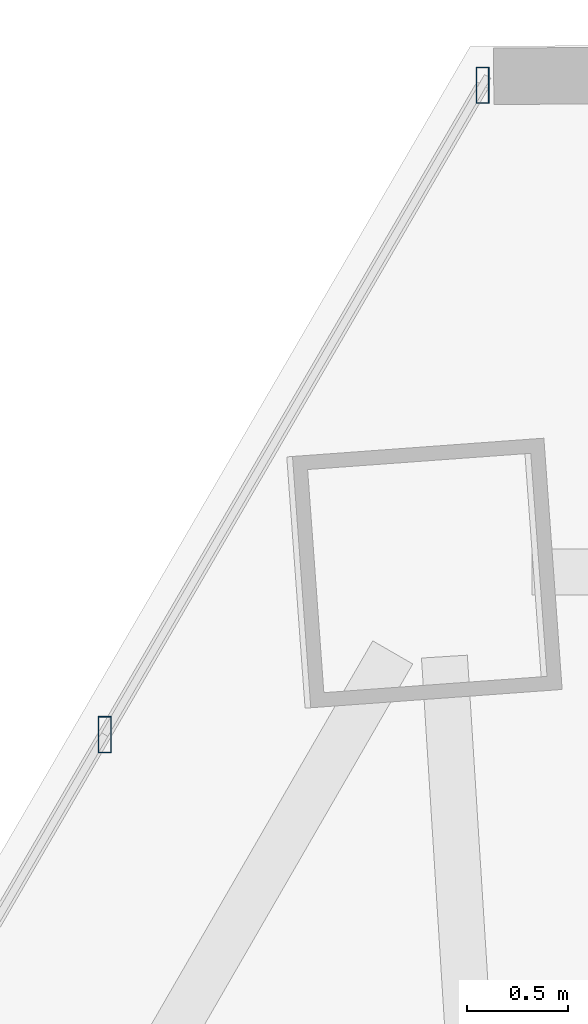
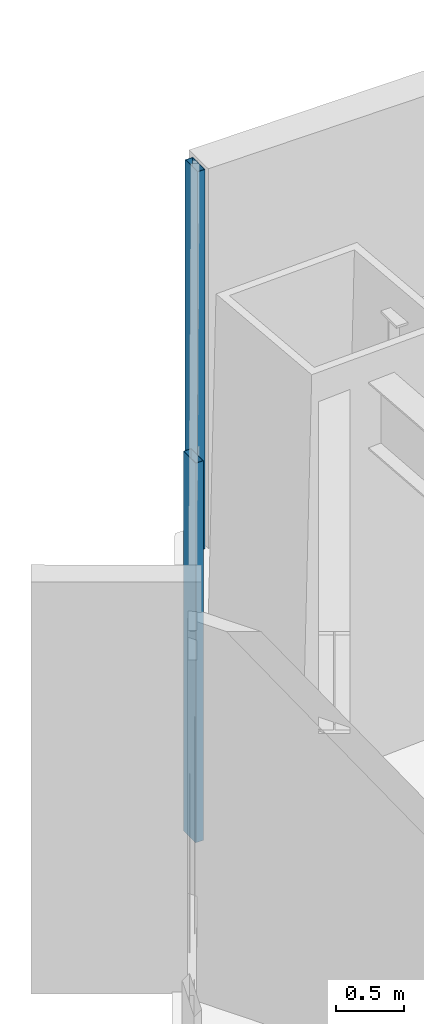
# One storey, part 25 of 34: 2 members, 1 element without a shape of its own.
"""IFC4 building model written with IfcOpenShell, lengths in metres."""

import ifcopenshell
import ifcopenshell.guid

model = None  # the IFC model being written
_history = None  # IfcOwnerHistory: only IFC2X3 demands one
_inside = {}  # id of a spatial element -> (the spatial element, [elements in it])
_under = {}  # id of a project, library or spatial element -> (it, [spatial elements below it])
_declared = {}  # id of a project -> (the project, [libraries it declares])
_typed = {}  # id of a type object -> (the type object, [elements of that type])
_made_of = {}  # id of a material, layer set ... -> (it, [elements and type objects made of it])


def new_model(schema):
    """Start an empty IFC model of exactly this schema.

    Asked for "IFC4X3", IfcOpenShell would pick the latest addendum, in which some entities
    have other attributes; the version numbers below select the first issue.
    IFC2X3 requires an IfcOwnerHistory on every rooted entity: one is made here for all.
    """
    global model, _history
    if schema == "IFC4X3":
        model = ifcopenshell.file(schema_version=(4, 3, 0, 0))
    else:
        model = ifcopenshell.file(schema=schema)
    _inside.clear()
    _under.clear()
    _declared.clear()
    _typed.clear()
    _made_of.clear()
    _history = None
    if model.schema == "IFC2X3":
        org = make("IfcOrganization", Name="unknown")
        user = make(
            "IfcPersonAndOrganization",
            ThePerson=make("IfcPerson", FamilyName="unknown"),
            TheOrganization=org,
        )
        app = make(
            "IfcApplication",
            ApplicationDeveloper=org,
            Version="unknown",
            ApplicationFullName="unknown",
            ApplicationIdentifier="unknown",
        )
        _history = make(
            "IfcOwnerHistory",
            OwningUser=user,
            OwningApplication=app,
            ChangeAction="ADDED",
            CreationDate=0,
        )
    return model


def make(cls, **values):
    """One entity of the class cls with the attributes given. An attribute that is None is left unset."""
    return model.create_entity(
        cls, **{name: value for name, value in values.items() if value is not None}
    )


def rooted(cls, **values):
    """An entity with a GlobalId (a new one), such as an element, a storey or a relation."""
    return make(cls, GlobalId=ifcopenshell.guid.new(), OwnerHistory=_history, **values)


def si_unit(unit_type, name, prefix=None):
    """IfcSIUnit, for example si_unit("LENGTHUNIT", "METRE", prefix="MILLI")."""
    return make("IfcSIUnit", UnitType=unit_type, Prefix=prefix, Name=name)


def assignment(units):
    """IfcUnitAssignment: the units of a project."""
    return None if units is None else make("IfcUnitAssignment", Units=units)


def point(xyz):
    """IfcCartesianPoint."""
    return None if xyz is None else make("IfcCartesianPoint", Coordinates=xyz)


def direction(xyz):
    """IfcDirection."""
    return None if xyz is None else make("IfcDirection", DirectionRatios=xyz)


def frame(location, z_axis=None, x_axis=None):
    """IfcAxis2Placement3D, a coordinate frame: its origin and axes. An axis left out is left unset."""
    return make(
        "IfcAxis2Placement3D",
        Location=point(location),
        Axis=direction(z_axis),
        RefDirection=direction(x_axis),
    )


def frame_2d(location, x_axis=None):
    """IfcAxis2Placement2D, a coordinate frame in the plane: its origin and x axis."""
    return make(
        "IfcAxis2Placement2D", Location=point(location), RefDirection=direction(x_axis)
    )


def origin():
    """The frame at (0, 0, 0) with its axes left unset."""
    return frame((0.0, 0.0, 0.0))


def origin_2d():
    """The frame at (0, 0) in the plane with its x axis left unset."""
    return frame_2d((0.0, 0.0))


def place(relative_to, where):
    """IfcLocalPlacement: puts the frame where relative to a parent placement (None: the world)."""
    return make(
        "IfcLocalPlacement", PlacementRelTo=relative_to, RelativePlacement=where
    )


def context(
    kind, dimensions, precision=None, world=None, true_north=None, identifier=None
):
    """IfcGeometricRepresentationContext, for example the 3D "Model" context."""
    return make(
        "IfcGeometricRepresentationContext",
        ContextIdentifier=identifier,
        ContextType=kind,
        CoordinateSpaceDimension=dimensions,
        Precision=precision,
        WorldCoordinateSystem=world,
        TrueNorth=true_north,
    )


def subcontext(parent, identifier, kind, view, scale=None):
    """IfcGeometricRepresentationSubContext, for example "Body" below "Model"."""
    return make(
        "IfcGeometricRepresentationSubContext",
        ContextIdentifier=identifier,
        ContextType=kind,
        ParentContext=parent,
        TargetScale=scale,
        TargetView=view,
    )


def project(units=None, contexts=None):
    """IfcProject with its units and contexts."""
    return rooted(
        "IfcProject",
        Name="project",
        RepresentationContexts=contexts,
        UnitsInContext=assignment(units),
    )


def spatial(cls, under=None, at=None, **own):
    """A site, building, storey or space (cls), placed at a placement, below another one or the project."""
    s = rooted(cls, ObjectPlacement=at, **own)
    if under is not None:
        _under.setdefault(under.id(), (under, []))[1].append(s)
    return s


def profile(cls, at=None, kind="AREA", **sizes):
    """A parametric profile (cls). Its sizes go by their IFC names, for example OverallWidth=200.0."""
    return make(cls, ProfileType=kind, Position=at, **sizes)


def hollow_rectangle(**sizes):
    """IfcRectangleHollowProfileDef."""
    return profile("IfcRectangleHollowProfileDef", **sizes)


def extrude(swept, where, along, depth):
    """IfcExtrudedAreaSolid: the profile swept, set in the frame where, extruded along a direction by depth."""
    return make(
        "IfcExtrudedAreaSolid",
        SweptArea=swept,
        Position=where,
        ExtrudedDirection=direction(along),
        Depth=depth,
    )


def shape(context_of_items, identifier, shape_type, items):
    """IfcShapeRepresentation: the items that make up one representation, for example the "Body"."""
    return make(
        "IfcShapeRepresentation",
        ContextOfItems=context_of_items,
        RepresentationIdentifier=identifier,
        RepresentationType=shape_type,
        Items=items,
    )


def source(mapping_origin, context_of_items, identifier, shape_type, items):
    """IfcRepresentationMap: a shape defined once, which mapped items show again and again."""
    return make(
        "IfcRepresentationMap",
        MappingOrigin=mapping_origin,
        MappedRepresentation=shape(context_of_items, identifier, shape_type, items),
    )


def transform(
    local_origin,
    x_axis=None,
    y_axis=None,
    z_axis=None,
    scale=None,
    scale2=None,
    scale3=None,
    uniform=True,
):
    """IfcCartesianTransformationOperator3D, or its non-uniform kind. x_axis, y_axis, z_axis: its Axis1, 2, 3."""
    if uniform:
        return make(
            "IfcCartesianTransformationOperator3D",
            Axis1=direction(x_axis),
            Axis2=direction(y_axis),
            LocalOrigin=point(local_origin),
            Scale=scale,
            Axis3=direction(z_axis),
        )
    return make(
        "IfcCartesianTransformationOperator3DnonUniform",
        Axis1=direction(x_axis),
        Axis2=direction(y_axis),
        LocalOrigin=point(local_origin),
        Scale=scale,
        Axis3=direction(z_axis),
        Scale2=scale2,
        Scale3=scale3,
    )


def mapped(mapping_source, mapping_target):
    """IfcMappedItem: shows the shape of a source again, moved by a transform."""
    return make(
        "IfcMappedItem", MappingSource=mapping_source, MappingTarget=mapping_target
    )


def material(Name=None, Category=None):
    """IfcMaterial."""
    return make("IfcMaterial", Name=Name, Category=Category)


def material_profile(
    of_material, cross_section, Name=None, Category=None, Priority=None
):
    """IfcMaterialProfile: a cross section and its material."""
    return make(
        "IfcMaterialProfile",
        Name=Name,
        Material=of_material,
        Profile=cross_section,
        Priority=Priority,
        Category=Category,
    )


def profile_set(profiles, Name=None, composite=None):
    """IfcMaterialProfileSet."""
    return make(
        "IfcMaterialProfileSet",
        Name=Name,
        MaterialProfiles=profiles,
        CompositeProfile=composite,
    )


def made_of(thing, what):
    """Note that an element or type object is made of a material, layer set ...; save() writes the relation."""
    if what is not None:
        _made_of.setdefault(what.id(), (what, []))[1].append(thing)
    return thing


def type_object(cls, material=None, **own):
    """A type object (cls), such as IfcWallType, which elements share."""
    return made_of(rooted(cls, **own), material)


def type_shapes(of_type, sources):
    """Give a type object the sources (RepresentationMaps) that its elements show as mapped items."""
    of_type.RepresentationMaps = sources


def element(
    cls,
    number,
    at=None,
    inside=None,
    cuts=None,
    type_object=None,
    material=None,
    context=None,
    identifier="Body",
    shape_type=None,
    held_by="IfcProductDefinitionShape",
    body=None,
    shapes=None,
    **own,
):
    """One element of the class cls, such as IfcWall. Its Tag is "e" and its number.

    at: its placement. inside: the storey or other place that contains it. cuts: it is an
    opening in that element (IfcRelVoidsElement). A single representation is given by context,
    identifier, shape_type and body (its items); several are given by shapes. held_by: the class
    of the entity that holds the representations. save() writes the other relations.
    """
    e = rooted(cls, Tag="e%d" % number, ObjectPlacement=at, **own)
    if body is not None:
        shapes = [shape(context, identifier, shape_type, body)]
    if shapes is not None:
        e.Representation = make(held_by, Representations=shapes)
    if inside is not None:
        _inside.setdefault(inside.id(), (inside, []))[1].append(e)
    if cuts is not None:
        rooted(
            "IfcRelVoidsElement", RelatingBuildingElement=cuts, RelatedOpeningElement=e
        )
    if type_object is not None:
        _typed.setdefault(type_object.id(), (type_object, []))[1].append(e)
    return made_of(e, material)


def aggregate(whole, parts):
    """IfcRelAggregates: a whole, such as a stair, and the parts it consists of."""
    return rooted("IfcRelAggregates", RelatingObject=whole, RelatedObjects=parts)


def save(model, path):
    """Write the relations noted so far, then the file.

    IfcRelAggregates (storeys below a building ...), IfcRelContainedInSpatialStructure (elements
    in a storey), IfcRelDefinesByType, IfcRelAssociatesMaterial and IfcRelDeclares: one each for
    every whole, place, type object, material and project.
    """
    for whole, parts in _under.values():
        aggregate(whole, parts)
    for where, things in _inside.values():
        rooted(
            "IfcRelContainedInSpatialStructure",
            RelatedElements=things,
            RelatingStructure=where,
        )
    for kind, things in _typed.values():
        rooted("IfcRelDefinesByType", RelatedObjects=things, RelatingType=kind)
    for what, things in _made_of.values():
        rooted("IfcRelAssociatesMaterial", RelatedObjects=things, RelatingMaterial=what)
    for by, libraries in _declared.values():
        rooted("IfcRelDeclares", RelatingContext=by, RelatedDefinitions=libraries)
    model.write(path)


model = new_model("IFC4")

# Units and contexts
model_context = context("Model", 3, precision=1e-05, world=origin(), true_north=direction((0.0, 1.0)))
body_context = subcontext(model_context, "Body", "Model", "MODEL_VIEW")
ifc_project = project(units=[si_unit("LENGTHUNIT", "METRE"), si_unit("AREAUNIT", "SQUARE_METRE"), si_unit("VOLUMEUNIT", "CUBIC_METRE"), si_unit("PLANEANGLEUNIT", "RADIAN"), si_unit("MASSUNIT", "GRAM", prefix="KILO")], contexts=[model_context])

# Site, building, storey
site_placement = place(None, origin())
site = spatial("IfcSite", under=ifc_project, at=site_placement, CompositionType="ELEMENT")
building_placement = place(site_placement, origin())
building = spatial("IfcBuilding", under=site, at=building_placement, Name="Caelisora Broadcast Tower", CompositionType="ELEMENT")
storey_placement = place(building_placement, frame((0.0, 0.0, 56.800048828125)))
storey = spatial("IfcBuildingStorey", under=building, at=storey_placement, Name="L14", CompositionType="ELEMENT", Elevation=56.800048828125)

# Curtain wall, members
ifc_material_1 = material(Name="Unitised Aluminium and Low-E Glass Curtain Wall", Category="glass")
curtain_wall_type = type_object("IfcCurtainWallType", Name="CW-Z1", PredefinedType="NOTDEFINED", material=ifc_material_1)
curtain_wall_placement = place(storey_placement, origin())
curtain_wall = element("IfcCurtainWall", 1, at=curtain_wall_placement, inside=storey, type_object=curtain_wall_type, Name="L14 curtain wall CW-Z1", PredefinedType="NOTDEFINED")
ifc_material_2 = material(Name="Aluminium 6063-T6 Anodised Terracotta Bronze", Category="aluminium")
ifc_material_profile = material_profile(ifc_material_2, hollow_rectangle(XDim=0.06494140625, YDim=0.179931640625, WallThickness=0.00341796875, at=origin_2d()), Name="Aluminium 6063-T6 Anodised Terracotta Bronze")
ifc_profile_set = profile_set([ifc_material_profile], Name="Aluminium 6063-T6 Anodised Terracotta Bronze")
member_type = type_object("IfcMemberType", Name="CWM-02", PredefinedType="MULLION", material=ifc_profile_set)
shared_shape = source(origin(), body_context, "Body", "SweptSolid", [
    extrude(hollow_rectangle(XDim=0.06494140625, YDim=0.179931640625, WallThickness=0.00341796875, at=origin_2d()), origin(), (0.0, 0.0, 1.0), 3.39990234375),
])
type_shapes(member_type, [shared_shape])
member_1_placement = place(storey_placement, frame((27.814208984375, 45.523681640625, 0.0), z_axis=(0.0, 0.0, 1.0), x_axis=(1.0, 0.0, 0.0)))
member_1 = element("IfcMember", 2, at=member_1_placement, type_object=member_type, Name="L14-CW-B11 mullion #2", PredefinedType="MULLION", context=body_context, shape_type="MappedRepresentation", body=[
    mapped(shared_shape, transform((0.0, 0.0, 0.0), scale=1.0)),
])
member_2_placement = place(storey_placement, frame((29.68896484375, 48.745849609375, 0.0), z_axis=(0.0, 0.0, 1.0), x_axis=(1.0, 0.0, 0.0)))
member_2 = element("IfcMember", 3, at=member_2_placement, type_object=member_type, Name="L14-CW-B11 mullion #3", PredefinedType="MULLION", context=body_context, shape_type="MappedRepresentation", body=[
    mapped(shared_shape, transform((0.0, 0.0, 0.0), scale=1.0)),
])
aggregate(curtain_wall, [member_1, member_2])

save(model, "model.ifc")
